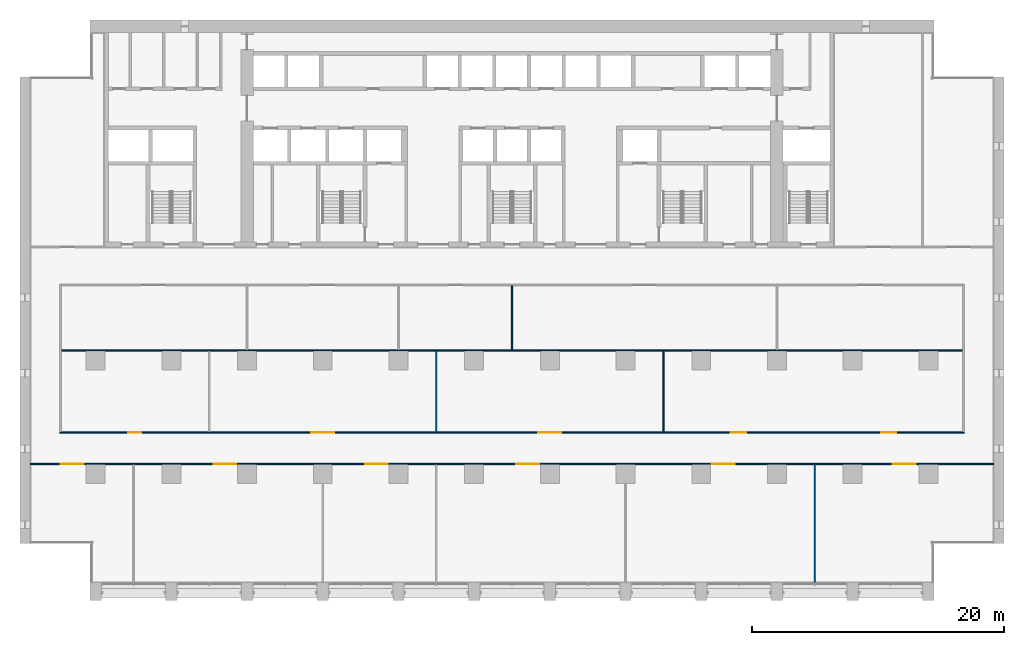
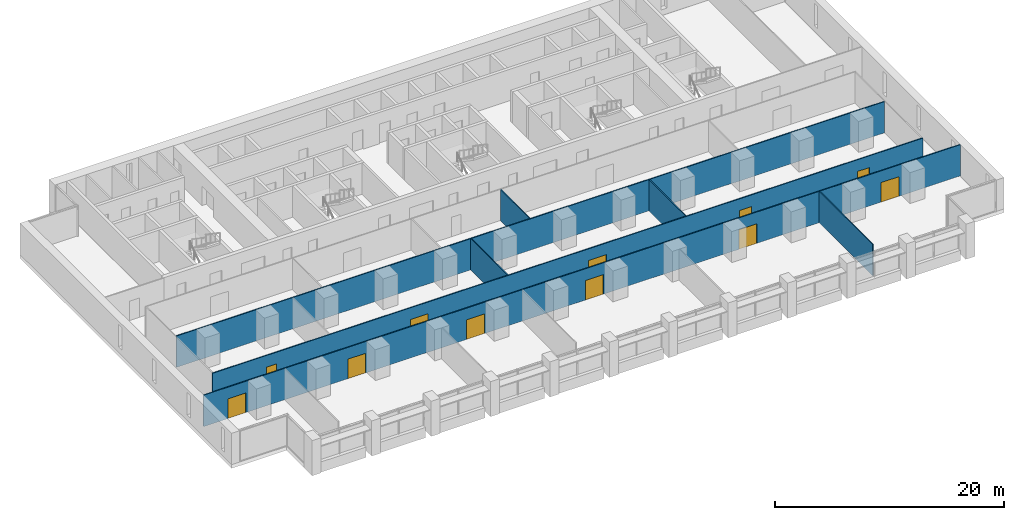
# One storey, part 9 of 18: 11 doors, 7 walls, 11 openings.
"""IFC4 building model written with IfcOpenShell, lengths in metres."""

from ifc_helpers import new_model, si_unit, direction, frame, frame_2d, origin, place, context, subcontext, project, spatial, rectangle, extrude, material, layer, layer_set, type_object, element, fill, save


model = new_model("IFC4")

# Units and contexts
model_context = context("Model", 3, precision=1e-05, world=origin(), true_north=direction((0.0, 1.0)))
body_context = subcontext(model_context, "Body", "Model", "MODEL_VIEW")
ifc_project = project(units=[si_unit("LENGTHUNIT", "METRE"), si_unit("AREAUNIT", "SQUARE_METRE"), si_unit("VOLUMEUNIT", "CUBIC_METRE"), si_unit("PLANEANGLEUNIT", "RADIAN"), si_unit("MASSUNIT", "GRAM", prefix="KILO")], contexts=[model_context])

# Site, building, storey
site_placement = place(None, origin())
site = spatial("IfcSite", under=ifc_project, at=site_placement, CompositionType="ELEMENT")
building_placement = place(site_placement, origin())
building = spatial("IfcBuilding", under=site, at=building_placement, Name="Calvaro Tower", CompositionType="ELEMENT")
storey_placement = place(building_placement, frame((0.0, 0.0, 82.5)))
storey = spatial("IfcBuildingStorey", under=building, at=storey_placement, Name="L20", CompositionType="ELEMENT", Elevation=82.5)

# Wall, openings, doors
ifc_material_1 = material(Name="Plasterboard on steel studs", Category="steel")
ifc_layer_1 = layer(ifc_material_1, 0.10009765625)
ifc_layer_set_1 = layer_set([ifc_layer_1], Name="Plasterboard on steel studs")
wall_type_1 = type_object("IfcWallType", Name="Partition 100", PredefinedType="PARTITIONING", material=ifc_layer_set_1)
wall_1_placement = place(storey_placement, frame((0.800048828125, 10.800048828125, 0.0), z_axis=(0.0, 0.0, 1.0), x_axis=(1.0, 0.0, 0.0)))
wall_1 = element("IfcWall", 1, at=wall_1_placement, inside=storey, type_object=wall_type_1, Name="Partition T14.W001", PredefinedType="PARTITIONING", context=body_context, shape_type="SweptSolid", body=[
    extrude(rectangle(XDim=76.39990234375, YDim=0.10009765625, at=frame_2d((38.199951171875, 0.0))), origin(), (0.0, 0.0, 1.0), 3.35009765625),
])
opening_1_placement = place(wall_1_placement, frame((14.550048828125, 0.0, 0.0)))
opening_1 = element("IfcOpeningElement", 2, at=opening_1_placement, cuts=wall_1, Name="Opening T14.001", PredefinedType="OPENING", context=body_context, shape_type="SweptSolid", body=[
    extrude(rectangle(XDim=1.800048828125, YDim=2.10009765625, at=frame_2d((0.89990234375, 1.050048828125))), frame((0.0, 0.06005859375, 0.0), z_axis=(0.0, -1.0, 0.0), x_axis=(1.0, 0.0, 0.0)), (0.0, 0.0, 1.0), 0.1201171875),
])
opening_2_placement = place(wall_1_placement, frame((26.550048828125, 0.0, 0.0)))
opening_2 = element("IfcOpeningElement", 3, at=opening_2_placement, cuts=wall_1, Name="Opening T14.002", PredefinedType="OPENING", context=body_context, shape_type="SweptSolid", body=[
    extrude(rectangle(XDim=1.800048828125, YDim=2.10009765625, at=frame_2d((0.89990234375, 1.050048828125))), frame((0.0, 0.06005859375, 0.0), z_axis=(0.0, -1.0, 0.0), x_axis=(1.0, 0.0, 0.0)), (0.0, 0.0, 1.0), 0.1201171875),
])
opening_3_placement = place(wall_1_placement, frame((38.550048828125, 0.0, 0.0)))
opening_3 = element("IfcOpeningElement", 4, at=opening_3_placement, cuts=wall_1, Name="Opening T14.003", PredefinedType="OPENING", context=body_context, shape_type="SweptSolid", body=[
    extrude(rectangle(XDim=1.800048828125, YDim=2.10009765625, at=frame_2d((0.89990234375, 1.050048828125))), frame((0.0, 0.06005859375, 0.0), z_axis=(0.0, -1.0, 0.0), x_axis=(1.0, 0.0, 0.0)), (0.0, 0.0, 1.0), 0.1201171875),
])
opening_4_placement = place(wall_1_placement, frame((54.050048828125, 0.0, 0.0)))
opening_4 = element("IfcOpeningElement", 5, at=opening_4_placement, cuts=wall_1, Name="Opening T14.004", PredefinedType="OPENING", context=body_context, shape_type="SweptSolid", body=[
    extrude(rectangle(XDim=1.800048828125, YDim=2.10009765625, at=frame_2d((0.89990234375, 1.050048828125))), frame((0.0, 0.06005859375, 0.0), z_axis=(0.0, -1.0, 0.0), x_axis=(1.0, 0.0, 0.0)), (0.0, 0.0, 1.0), 0.1201171875),
])
opening_5_placement = place(wall_1_placement, frame((68.39990234375, 0.0, 0.0)))
opening_5 = element("IfcOpeningElement", 6, at=opening_5_placement, cuts=wall_1, Name="Opening T14.005", PredefinedType="OPENING", context=body_context, shape_type="SweptSolid", body=[
    extrude(rectangle(XDim=1.800048828125, YDim=2.10009765625, at=frame_2d((0.89990234375, 1.050048828125))), frame((0.0, 0.06005859375, 0.0), z_axis=(0.0, -1.0, 0.0), x_axis=(1.0, 0.0, 0.0)), (0.0, 0.0, 1.0), 0.1201171875),
])
opening_6_placement = place(wall_1_placement, frame((2.449951171875, 0.0, 0.0)))
opening_6 = element("IfcOpeningElement", 7, at=opening_6_placement, cuts=wall_1, Name="Opening T14.006", PredefinedType="OPENING", context=body_context, shape_type="SweptSolid", body=[
    extrude(rectangle(XDim=1.800048828125, YDim=2.10009765625, at=frame_2d((0.89990234375, 1.050048828125))), frame((0.0, 0.06005859375, 0.0), z_axis=(0.0, -1.0, 0.0), x_axis=(1.0, 0.0, 0.0)), (0.0, 0.0, 1.0), 0.1201171875),
])
ifc_material_2 = material(Name="Timber", Category="wood")
door_type_1 = type_object("IfcDoorType", Name="Internal double door 1800 x 2100", OperationType="DOUBLE_DOOR_SINGLE_SWING", PredefinedType="DOOR", material=ifc_material_2)
door_1_placement = place(opening_1_placement, origin())
door_1 = element("IfcDoor", 8, at=door_1_placement, inside=storey, type_object=door_type_1, Name="Door T14.001", OperationType="DOUBLE_DOOR_SINGLE_SWING", OverallHeight=2.10009765625, OverallWidth=1.800048828125, PredefinedType="DOOR", context=body_context, shape_type="SweptSolid", body=[
    extrude(rectangle(XDim=1.800048828125, YDim=2.10009765625, at=frame_2d((0.89990234375, 1.050048828125))), frame((0.0, 0.02490234375, 0.0), z_axis=(0.0, -1.0, 0.0), x_axis=(1.0, 0.0, 0.0)), (0.0, 0.0, 1.0), 0.050048828125),
])
fill(opening_1, door_1)
door_2_placement = place(opening_2_placement, origin())
door_2 = element("IfcDoor", 9, at=door_2_placement, inside=storey, type_object=door_type_1, Name="Door T14.002", OperationType="DOUBLE_DOOR_SINGLE_SWING", OverallHeight=2.10009765625, OverallWidth=1.800048828125, PredefinedType="DOOR", context=body_context, shape_type="SweptSolid", body=[
    extrude(rectangle(XDim=1.800048828125, YDim=2.10009765625, at=frame_2d((0.89990234375, 1.050048828125))), frame((0.0, 0.02490234375, 0.0), z_axis=(0.0, -1.0, 0.0), x_axis=(1.0, 0.0, 0.0)), (0.0, 0.0, 1.0), 0.050048828125),
])
fill(opening_2, door_2)
door_3_placement = place(opening_3_placement, origin())
door_3 = element("IfcDoor", 10, at=door_3_placement, inside=storey, type_object=door_type_1, Name="Door T14.003", OperationType="DOUBLE_DOOR_SINGLE_SWING", OverallHeight=2.10009765625, OverallWidth=1.800048828125, PredefinedType="DOOR", context=body_context, shape_type="SweptSolid", body=[
    extrude(rectangle(XDim=1.800048828125, YDim=2.10009765625, at=frame_2d((0.89990234375, 1.050048828125))), frame((0.0, 0.02490234375, 0.0), z_axis=(0.0, -1.0, 0.0), x_axis=(1.0, 0.0, 0.0)), (0.0, 0.0, 1.0), 0.050048828125),
])
fill(opening_3, door_3)
door_4_placement = place(opening_4_placement, origin())
door_4 = element("IfcDoor", 11, at=door_4_placement, inside=storey, type_object=door_type_1, Name="Door T14.004", OperationType="DOUBLE_DOOR_SINGLE_SWING", OverallHeight=2.10009765625, OverallWidth=1.800048828125, PredefinedType="DOOR", context=body_context, shape_type="SweptSolid", body=[
    extrude(rectangle(XDim=1.800048828125, YDim=2.10009765625, at=frame_2d((0.89990234375, 1.050048828125))), frame((0.0, 0.02490234375, 0.0), z_axis=(0.0, -1.0, 0.0), x_axis=(1.0, 0.0, 0.0)), (0.0, 0.0, 1.0), 0.050048828125),
])
fill(opening_4, door_4)
door_5_placement = place(opening_5_placement, origin())
door_5 = element("IfcDoor", 12, at=door_5_placement, inside=storey, type_object=door_type_1, Name="Door T14.005", OperationType="DOUBLE_DOOR_SINGLE_SWING", OverallHeight=2.10009765625, OverallWidth=1.800048828125, PredefinedType="DOOR", context=body_context, shape_type="SweptSolid", body=[
    extrude(rectangle(XDim=1.800048828125, YDim=2.10009765625, at=frame_2d((0.89990234375, 1.050048828125))), frame((0.0, 0.02490234375, 0.0), z_axis=(0.0, -1.0, 0.0), x_axis=(1.0, 0.0, 0.0)), (0.0, 0.0, 1.0), 0.050048828125),
])
fill(opening_5, door_5)
door_6_placement = place(opening_6_placement, origin())
door_6 = element("IfcDoor", 13, at=door_6_placement, inside=storey, type_object=door_type_1, Name="Door T14.006", OperationType="DOUBLE_DOOR_SINGLE_SWING", OverallHeight=2.10009765625, OverallWidth=1.800048828125, PredefinedType="DOOR", context=body_context, shape_type="SweptSolid", body=[
    extrude(rectangle(XDim=1.800048828125, YDim=2.10009765625, at=frame_2d((0.89990234375, 1.050048828125))), frame((0.0, 0.02490234375, 0.0), z_axis=(0.0, -1.0, 0.0), x_axis=(1.0, 0.0, 0.0)), (0.0, 0.0, 1.0), 0.050048828125),
])
fill(opening_6, door_6)

# Walls
wall_2_placement = place(storey_placement, frame((3.25, 19.800048828125, 0.0), z_axis=(0.0, 0.0, 1.0), x_axis=(1.0, 0.0, 0.0)))
element("IfcWall", 14, at=wall_2_placement, inside=storey, type_object=wall_type_1, Name="Partition T14.W003", PredefinedType="PARTITIONING", context=body_context, shape_type="SweptSolid", body=[
    extrude(rectangle(XDim=71.5, YDim=0.10009765625, at=frame_2d((35.75, 0.0))), origin(), (0.0, 0.0, 1.0), 3.35009765625),
])
wall_3_placement = place(storey_placement, frame((33.0, 13.35009765625, 0.0), z_axis=(0.0, 0.0, 1.0), x_axis=(0.0, 1.0, 0.0)))
element("IfcWall", 15, at=wall_3_placement, inside=storey, type_object=wall_type_1, Name="Partition T14.W014", PredefinedType="PARTITIONING", context=body_context, shape_type="SweptSolid", body=[
    extrude(rectangle(XDim=6.39990234375, YDim=0.10009765625, at=frame_2d((3.199951171875, 0.0))), origin(), (0.0, 0.0, 1.0), 3.35009765625),
])
wall_4_placement = place(storey_placement, frame((39.0, 19.85009765625, 0.0), z_axis=(0.0, 0.0, 1.0), x_axis=(0.0, 1.0, 0.0)))
element("IfcWall", 16, at=wall_4_placement, inside=storey, type_object=wall_type_1, Name="Partition T14.W015", PredefinedType="PARTITIONING", context=body_context, shape_type="SweptSolid", body=[
    extrude(rectangle(XDim=5.099853515625, YDim=0.10009765625, at=frame_2d((2.5498046875, 0.0))), origin(), (0.0, 0.0, 1.0), 3.35009765625),
])
wall_5_placement = place(storey_placement, frame((51.0, 13.35009765625, 0.0), z_axis=(0.0, 0.0, 1.0), x_axis=(0.0, 1.0, 0.0)))
element("IfcWall", 17, at=wall_5_placement, inside=storey, type_object=wall_type_1, Name="Partition T14.W017", PredefinedType="PARTITIONING", context=body_context, shape_type="SweptSolid", body=[
    extrude(rectangle(XDim=6.39990234375, YDim=0.10009765625, at=frame_2d((3.199951171875, 0.0))), origin(), (0.0, 0.0, 1.0), 3.35009765625),
])
wall_6_placement = place(storey_placement, frame((63.0, 1.39990234375, 0.0), z_axis=(0.0, 0.0, 1.0), x_axis=(0.0, 1.0, 0.0)))
element("IfcWall", 18, at=wall_6_placement, inside=storey, type_object=wall_type_1, Name="Partition T14.W019", PredefinedType="PARTITIONING", context=body_context, shape_type="SweptSolid", body=[
    extrude(rectangle(XDim=9.35009765625, YDim=0.10009765625, at=frame_2d((4.675048828125, 0.0))), origin(), (0.0, 0.0, 1.0), 3.35009765625),
])

# Wall, openings, doors
ifc_material_3 = material(Name="Plasterboard on steel studs", Category="steel")
ifc_layer_2 = layer(ifc_material_3, 0.10009765625)
ifc_layer_set_2 = layer_set([ifc_layer_2], Name="Plasterboard on steel studs")
wall_type_2 = type_object("IfcWallType", Name="Partition 100 REI 120", PredefinedType="PARTITIONING", material=ifc_layer_set_2)
wall_7_placement = place(storey_placement, frame((3.14990234375, 13.300048828125, 0.0), z_axis=(0.0, 0.0, 1.0), x_axis=(1.0, 0.0, 0.0)))
wall_7 = element("IfcWall", 19, at=wall_7_placement, inside=storey, type_object=wall_type_2, Name="Partition T14.W002", PredefinedType="PARTITIONING", context=body_context, shape_type="SweptSolid", body=[
    extrude(rectangle(XDim=71.7001953125, YDim=0.10009765625, at=frame_2d((35.85009765625, 0.0))), origin(), (0.0, 0.0, 1.0), 3.35009765625),
])
opening_7_placement = place(wall_7_placement, frame((5.449951171875, 0.0, 0.0)))
opening_7 = element("IfcOpeningElement", 20, at=opening_7_placement, cuts=wall_7, Name="Opening T14.007", PredefinedType="OPENING", context=body_context, shape_type="SweptSolid", body=[
    extrude(rectangle(XDim=1.0, YDim=2.10009765625, at=frame_2d((0.5, 1.050048828125))), frame((0.0, 0.06005859375, 0.0), z_axis=(0.0, -1.0, 0.0), x_axis=(1.0, 0.0, 0.0)), (0.0, 0.0, 1.0), 0.1201171875),
])
opening_8_placement = place(wall_7_placement, frame((19.949951171875, 0.0, 0.0)))
opening_8 = element("IfcOpeningElement", 21, at=opening_8_placement, cuts=wall_7, Name="Opening T14.008", PredefinedType="OPENING", context=body_context, shape_type="SweptSolid", body=[
    extrude(rectangle(XDim=1.800048828125, YDim=2.10009765625, at=frame_2d((0.89990234375, 1.050048828125))), frame((0.0, 0.06005859375, 0.0), z_axis=(0.0, -1.0, 0.0), x_axis=(1.0, 0.0, 0.0)), (0.0, 0.0, 1.0), 0.1201171875),
])
opening_9_placement = place(wall_7_placement, frame((37.949951171875, 0.0, 0.0)))
opening_9 = element("IfcOpeningElement", 22, at=opening_9_placement, cuts=wall_7, Name="Opening T14.009", PredefinedType="OPENING", context=body_context, shape_type="SweptSolid", body=[
    extrude(rectangle(XDim=1.800048828125, YDim=2.10009765625, at=frame_2d((0.89990234375, 1.050048828125))), frame((0.0, 0.06005859375, 0.0), z_axis=(0.0, -1.0, 0.0), x_axis=(1.0, 0.0, 0.0)), (0.0, 0.0, 1.0), 0.1201171875),
])
opening_10_placement = place(wall_7_placement, frame((53.199951171875, 0.0, 0.0)))
opening_10 = element("IfcOpeningElement", 23, at=opening_10_placement, cuts=wall_7, Name="Opening T14.010", PredefinedType="OPENING", context=body_context, shape_type="SweptSolid", body=[
    extrude(rectangle(XDim=1.199951171875, YDim=2.10009765625, at=frame_2d((0.60009765625, 1.050048828125))), frame((0.0, 0.06005859375, 0.0), z_axis=(0.0, -1.0, 0.0), x_axis=(1.0, 0.0, 0.0)), (0.0, 0.0, 1.0), 0.1201171875),
])
opening_11_placement = place(wall_7_placement, frame((65.10009765625, 0.0, 0.0)))
opening_11 = element("IfcOpeningElement", 24, at=opening_11_placement, cuts=wall_7, Name="Opening T14.011", PredefinedType="OPENING", context=body_context, shape_type="SweptSolid", body=[
    extrude(rectangle(XDim=1.199951171875, YDim=2.10009765625, at=frame_2d((0.60009765625, 1.050048828125))), frame((0.0, 0.06005859375, 0.0), z_axis=(0.0, -1.0, 0.0), x_axis=(1.0, 0.0, 0.0)), (0.0, 0.0, 1.0), 0.1201171875),
])
door_7_placement = place(opening_8_placement, origin())
door_7 = element("IfcDoor", 25, at=door_7_placement, inside=storey, type_object=door_type_1, Name="Door T14.008", OperationType="DOUBLE_DOOR_SINGLE_SWING", OverallHeight=2.10009765625, OverallWidth=1.800048828125, PredefinedType="DOOR", context=body_context, shape_type="SweptSolid", body=[
    extrude(rectangle(XDim=1.800048828125, YDim=2.10009765625, at=frame_2d((0.89990234375, 1.050048828125))), frame((0.0, 0.02490234375, 0.0), z_axis=(0.0, -1.0, 0.0), x_axis=(1.0, 0.0, 0.0)), (0.0, 0.0, 1.0), 0.050048828125),
])
fill(opening_8, door_7)
door_8_placement = place(opening_9_placement, origin())
door_8 = element("IfcDoor", 26, at=door_8_placement, inside=storey, type_object=door_type_1, Name="Door T14.009", OperationType="DOUBLE_DOOR_SINGLE_SWING", OverallHeight=2.10009765625, OverallWidth=1.800048828125, PredefinedType="DOOR", context=body_context, shape_type="SweptSolid", body=[
    extrude(rectangle(XDim=1.800048828125, YDim=2.10009765625, at=frame_2d((0.89990234375, 1.050048828125))), frame((0.0, 0.02490234375, 0.0), z_axis=(0.0, -1.0, 0.0), x_axis=(1.0, 0.0, 0.0)), (0.0, 0.0, 1.0), 0.050048828125),
])
fill(opening_9, door_8)
ifc_material_4 = material(Name="Timber", Category="wood")
door_type_2 = type_object("IfcDoorType", Name="Internal single door 1000 x 2100 FD60", OperationType="SINGLE_SWING_LEFT", PredefinedType="DOOR", material=ifc_material_4)
door_9_placement = place(opening_7_placement, origin())
door_9 = element("IfcDoor", 27, at=door_9_placement, inside=storey, type_object=door_type_2, Name="Door T14.007", OperationType="SINGLE_SWING_LEFT", OverallHeight=2.10009765625, OverallWidth=1.0, PredefinedType="DOOR", context=body_context, shape_type="SweptSolid", body=[
    extrude(rectangle(XDim=1.0, YDim=2.10009765625, at=frame_2d((0.5, 1.050048828125))), frame((0.0, 0.02490234375, 0.0), z_axis=(0.0, -1.0, 0.0), x_axis=(1.0, 0.0, 0.0)), (0.0, 0.0, 1.0), 0.050048828125),
])
fill(opening_7, door_9)
ifc_material_5 = material(Name="Timber", Category="wood")
door_type_3 = type_object("IfcDoorType", Name="Internal single door 1200 x 2100", OperationType="SINGLE_SWING_LEFT", PredefinedType="DOOR", material=ifc_material_5)
door_10_placement = place(opening_10_placement, origin())
door_10 = element("IfcDoor", 28, at=door_10_placement, inside=storey, type_object=door_type_3, Name="Door T14.010", OperationType="SINGLE_SWING_RIGHT", OverallHeight=2.10009765625, OverallWidth=1.199951171875, PredefinedType="DOOR", context=body_context, shape_type="SweptSolid", body=[
    extrude(rectangle(XDim=1.199951171875, YDim=2.10009765625, at=frame_2d((0.60009765625, 1.050048828125))), frame((0.0, 0.02490234375, 0.0), z_axis=(0.0, -1.0, 0.0), x_axis=(1.0, 0.0, 0.0)), (0.0, 0.0, 1.0), 0.050048828125),
])
fill(opening_10, door_10)
door_11_placement = place(opening_11_placement, origin())
door_11 = element("IfcDoor", 29, at=door_11_placement, inside=storey, type_object=door_type_3, Name="Door T14.011", OperationType="SINGLE_SWING_RIGHT", OverallHeight=2.10009765625, OverallWidth=1.199951171875, PredefinedType="DOOR", context=body_context, shape_type="SweptSolid", body=[
    extrude(rectangle(XDim=1.199951171875, YDim=2.10009765625, at=frame_2d((0.60009765625, 1.050048828125))), frame((0.0, 0.02490234375, 0.0), z_axis=(0.0, -1.0, 0.0), x_axis=(1.0, 0.0, 0.0)), (0.0, 0.0, 1.0), 0.050048828125),
])
fill(opening_11, door_11)

save(model, "model.ifc")
